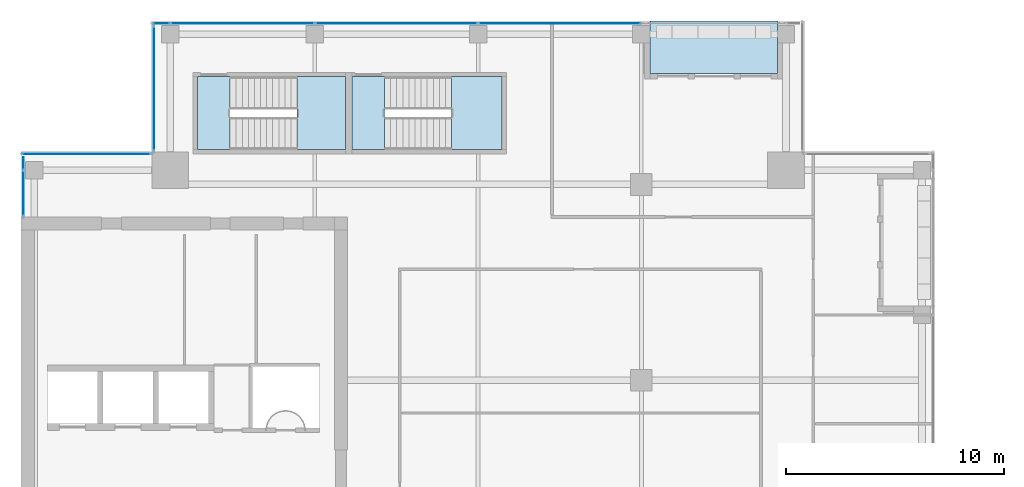
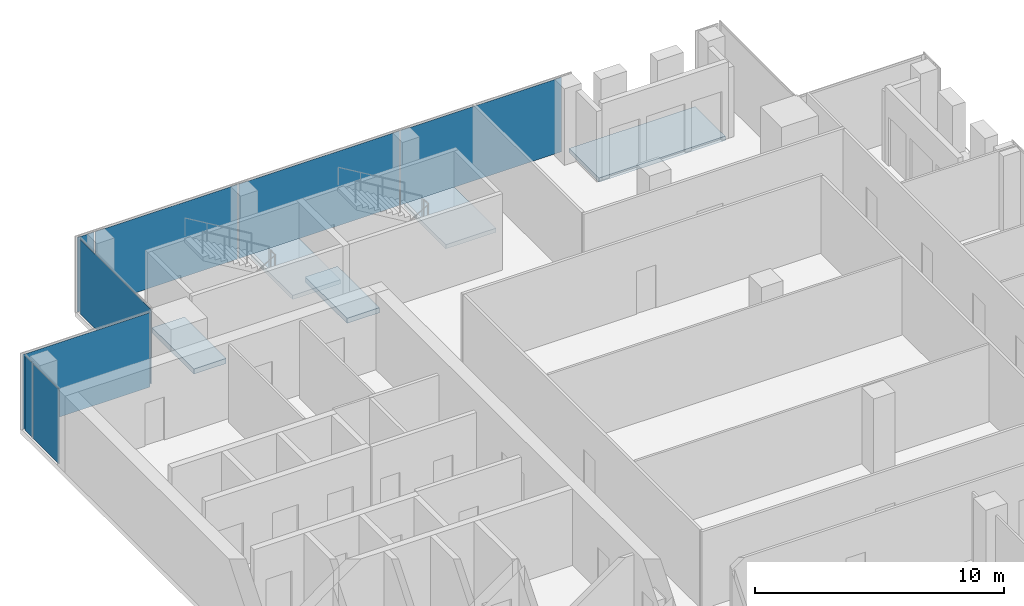
# One storey, part 21 of 28: 8 plates, 5 slabs, 6 elements without a shape of their own.
"""IFC4 building model written with IfcOpenShell, lengths in metres."""

from ifc_helpers import new_model, si_unit, direction, frame, origin, origin_2d, place, context, subcontext, project, spatial, polyline, rectangle, outline, extrude, source, transform, mapped, material, layer, layer_set, type_object, element, aggregate, save


model = new_model("IFC4")

# Units and contexts
model_context = context("Model", 3, precision=1e-05, world=origin(), true_north=direction((0.0, 1.0)))
body_context = subcontext(model_context, "Body", "Model", "MODEL_VIEW")
ifc_project = project(units=[si_unit("LENGTHUNIT", "METRE"), si_unit("AREAUNIT", "SQUARE_METRE"), si_unit("VOLUMEUNIT", "CUBIC_METRE"), si_unit("PLANEANGLEUNIT", "RADIAN"), si_unit("MASSUNIT", "GRAM", prefix="KILO")], contexts=[model_context])

# Site, building, storey
site_placement = place(None, origin())
site = spatial("IfcSite", under=ifc_project, at=site_placement, CompositionType="ELEMENT")
building_placement = place(site_placement, origin())
building = spatial("IfcBuilding", under=site, at=building_placement, Name="Khomas Fold Tower", CompositionType="ELEMENT")
storey_placement = place(building_placement, frame((0.0, 0.0, 298.199951171875)))
storey = spatial("IfcBuildingStorey", under=building, at=storey_placement, Name="L67", CompositionType="ELEMENT", Elevation=298.199951171875)

# Curtain wall, plate
ifc_material_1 = material(Name="Aluminium framed double glazing", Category="aluminium")
curtain_wall_type = type_object("IfcCurtainWallType", Name="SK-Unitised clear-glass wall, upper floors CW3", PredefinedType="NOTDEFINED", material=ifc_material_1)
curtain_wall_1_placement = place(storey_placement, origin())
curtain_wall_1 = element("IfcCurtainWall", 1, at=curtain_wall_1_placement, inside=storey, type_object=curtain_wall_type, Name="CW3 run L67 09-0", PredefinedType="NOTDEFINED")
ifc_material_2 = material(Name="Clear double glazed unit")
ifc_layer_1 = layer(ifc_material_2, 0.028076171875)
ifc_layer_set_1 = layer_set([ifc_layer_1], Name="Clear double glazed unit")
plate_type = type_object("IfcPlateType", Name="SK-Unitised clear-glass wall, upper floors glass panel CW3-P", PredefinedType="CURTAIN_PANEL", material=ifc_layer_set_1)
shared_shape_1 = source(origin(), body_context, "Body", "SweptSolid", [
    extrude(rectangle(XDim=0.574951171875, YDim=0.028076171875, at=origin_2d()), origin(), (0.0, 0.0, 1.0), 3.64990234375),
])
plate_1_placement = place(storey_placement, frame((6.10009765625, 41.46240234375, 0.0), z_axis=(0.0, 0.0, 1.0), x_axis=(0.0, -1.0, 0.0)))
plate_1 = element("IfcPlate", 2, at=plate_1_placement, type_object=plate_type, Name="CW3 glass panel 1", PredefinedType="CURTAIN_PANEL", context=body_context, shape_type="MappedRepresentation", body=[
    mapped(shared_shape_1, transform((0.0, 0.0, 0.0))),
])

# Curtain wall, plates
curtain_wall_2_placement = place(storey_placement, origin())
curtain_wall_2 = element("IfcCurtainWall", 3, at=curtain_wall_2_placement, inside=storey, type_object=curtain_wall_type, Name="CW3 run L67 06-1", PredefinedType="NOTDEFINED")
shared_shape_2 = source(origin(), body_context, "Body", "SweptSolid", [
    extrude(rectangle(XDim=6.60009765625, YDim=0.028076171875, at=origin_2d()), origin(), (0.0, 0.0, 1.0), 3.64990234375),
])
plate_2_placement = place(storey_placement, frame((16.175048828125, 47.89990234375, 0.0), z_axis=(0.0, 0.0, 1.0), x_axis=(-1.0, 0.0, 0.0)))
plate_2 = element("IfcPlate", 4, at=plate_2_placement, type_object=plate_type, Name="CW3 glass panel 4", PredefinedType="CURTAIN_PANEL", context=body_context, shape_type="MappedRepresentation", body=[
    mapped(shared_shape_2, transform((0.0, 0.0, 0.0))),
])
shared_shape_3 = source(origin(), body_context, "Body", "SweptSolid", [
    extrude(rectangle(XDim=7.449951171875, YDim=0.028076171875, at=origin_2d()), origin(), (0.0, 0.0, 1.0), 3.64990234375),
])
plate_3_placement = place(storey_placement, frame((30.75, 47.89990234375, 0.0), z_axis=(0.0, 0.0, 1.0), x_axis=(-1.0, 0.0, 0.0)))
plate_3 = element("IfcPlate", 5, at=plate_3_placement, type_object=plate_type, Name="CW3 glass panel 2", PredefinedType="CURTAIN_PANEL", context=body_context, shape_type="MappedRepresentation", body=[
    mapped(shared_shape_3, transform((0.0, 0.0, 0.0))),
])
plate_4_placement = place(storey_placement, frame((23.25, 47.89990234375, 0.0), z_axis=(0.0, 0.0, 1.0), x_axis=(-1.0, 0.0, 0.0)))
plate_4 = element("IfcPlate", 6, at=plate_4_placement, type_object=plate_type, Name="CW3 glass panel 3", PredefinedType="CURTAIN_PANEL", context=body_context, shape_type="MappedRepresentation", body=[
    mapped(shared_shape_3, transform((0.0, 0.0, 0.0))),
])
shared_shape_4 = source(origin(), body_context, "Body", "SweptSolid", [
    extrude(rectangle(XDim=0.77490234375, YDim=0.028076171875, at=origin_2d()), origin(), (0.0, 0.0, 1.0), 3.64990234375),
])
plate_5_placement = place(storey_placement, frame((12.4375, 47.89990234375, 0.0), z_axis=(0.0, 0.0, 1.0), x_axis=(-1.0, 0.0, 0.0)))
plate_5 = element("IfcPlate", 7, at=plate_5_placement, type_object=plate_type, Name="CW3 glass panel 5", PredefinedType="CURTAIN_PANEL", context=body_context, shape_type="MappedRepresentation", body=[
    mapped(shared_shape_4, transform((0.0, 0.0, 0.0))),
])
aggregate(curtain_wall_2, [plate_3, plate_4, plate_2, plate_5])

# Curtain wall, plate
curtain_wall_3_placement = place(storey_placement, origin())
curtain_wall_3 = element("IfcCurtainWall", 8, at=curtain_wall_3_placement, inside=storey, type_object=curtain_wall_type, Name="CW3 corner return L67 07", PredefinedType="NOTDEFINED")
shared_shape_5 = source(origin(), body_context, "Body", "SweptSolid", [
    extrude(rectangle(XDim=5.699951171875, YDim=0.028076171875, at=origin_2d()), origin(), (0.0, 0.0, 1.0), 3.64990234375),
])
plate_6_placement = place(storey_placement, frame((12.10009765625, 44.89990234375, 0.0), z_axis=(0.0, 0.0, 1.0), x_axis=(0.0, -1.0, 0.0)))
plate_6 = element("IfcPlate", 9, at=plate_6_placement, type_object=plate_type, Name="CW3 glass panel 1", PredefinedType="CURTAIN_PANEL", context=body_context, shape_type="MappedRepresentation", body=[
    mapped(shared_shape_5, transform((0.0, 0.0, 0.0))),
])
aggregate(curtain_wall_3, [plate_6])

curtain_wall_4_placement = place(storey_placement, origin())
curtain_wall_4 = element("IfcCurtainWall", 10, at=curtain_wall_4_placement, inside=storey, type_object=curtain_wall_type, Name="CW3 corner return L67 08", PredefinedType="NOTDEFINED")
shared_shape_6 = source(origin(), body_context, "Body", "SweptSolid", [
    extrude(rectangle(XDim=5.89990234375, YDim=0.028076171875, at=origin_2d()), origin(), (0.0, 0.0, 1.0), 3.64990234375),
])
plate_7_placement = place(storey_placement, frame((9.0, 41.89990234375, 0.0), z_axis=(0.0, 0.0, 1.0), x_axis=(-1.0, 0.0, 0.0)))
plate_7 = element("IfcPlate", 11, at=plate_7_placement, type_object=plate_type, Name="CW3 glass panel 1", PredefinedType="CURTAIN_PANEL", context=body_context, shape_type="MappedRepresentation", body=[
    mapped(shared_shape_6, transform((0.0, 0.0, 0.0))),
])
aggregate(curtain_wall_4, [plate_7])

# Plate
shared_shape_7 = source(origin(), body_context, "Body", "SweptSolid", [
    extrude(rectangle(XDim=2.074951171875, YDim=0.028076171875, at=origin_2d()), origin(), (0.0, 0.0, 1.0), 3.64990234375),
])
plate_8_placement = place(storey_placement, frame((6.10009765625, 40.08740234375, 0.0), z_axis=(0.0, 0.0, 1.0), x_axis=(0.0, -1.0, 0.0)))
plate_8 = element("IfcPlate", 12, at=plate_8_placement, type_object=plate_type, Name="CW3 glass panel 2", PredefinedType="CURTAIN_PANEL", context=body_context, shape_type="MappedRepresentation", body=[
    mapped(shared_shape_7, transform((0.0, 0.0, 0.0))),
])

aggregate(curtain_wall_1, [plate_1, plate_8])

# Slab
ifc_material_3 = material(Name="Concrete C40/50", Category="concrete")
ifc_layer_2 = layer(ifc_material_3, 0.205078125)
ifc_layer_set_2 = layer_set([ifc_layer_2], Name="Concrete C40/50")
slab_type_1 = type_object("IfcSlabType", Name="BL-Balcony deck 205", PredefinedType="FLOOR", material=ifc_layer_set_2)
shared_shape_8 = source(origin(), body_context, "Body", "SweptSolid", [
    extrude(outline(polyline([(34.89990234375, 45.60009765625), (40.75, 45.60009765625), (40.75, 48.0), (34.89990234375, 48.0), (34.89990234375, 45.60009765625)])), origin(), (0.0, 0.0, 1.0), 0.205078125),
])
slab_1_placement = place(storey_placement, frame((0.0, 0.0, -0.25)))
element("IfcSlab", 13, at=slab_1_placement, inside=storey, type_object=slab_type_1, Name="Balcony deck BAL-L67-N4", PredefinedType="FLOOR", context=body_context, shape_type="MappedRepresentation", body=[
    mapped(shared_shape_8, transform((0.0, 0.0, 0.0))),
])

# Stair, slab
ifc_material_4 = material(Name="Concrete C40/50", Category="concrete")
stair_type_1 = type_object("IfcStairType", Name="Stair ST1", PredefinedType="HALF_TURN_STAIR", material=ifc_material_4)
stair_1_placement = place(storey_placement, origin())
stair_1 = element("IfcStair", 14, at=stair_1_placement, inside=storey, type_object=stair_type_1, Name="L67 ST1", PredefinedType="HALF_TURN_STAIR")
ifc_material_5 = material(Name="Concrete C40/50", Category="concrete")
ifc_layer_3 = layer(ifc_material_5, 0.199951171875)
ifc_layer_set_3 = layer_set([ifc_layer_3], Name="Concrete C40/50")
slab_type_2 = type_object("IfcSlabType", Name="Stair landing 200", PredefinedType="LANDING", material=ifc_layer_set_3)
shared_shape_9 = source(origin(), body_context, "Body", "SweptSolid", [
    extrude(outline(polyline([(18.679931640625, 42.10009765625), (20.89990234375, 42.10009765625), (20.89990234375, 45.449951171875), (18.679931640625, 45.449951171875), (18.679931640625, 42.10009765625)])), origin(), (0.0, 0.0, 1.0), 0.199951171875),
])
slab_2_placement = place(storey_placement, frame((0.0, 0.0, 1.800048828125)))
slab_2 = element("IfcSlab", 15, at=slab_2_placement, type_object=slab_type_2, Name="ST1 landing 1", PredefinedType="LANDING", context=body_context, shape_type="MappedRepresentation", body=[
    mapped(shared_shape_9, transform((0.0, 0.0, 0.0))),
])
aggregate(stair_1, [slab_2])

# Slab
ifc_material_6 = material(Name="Concrete C40/50", Category="concrete")
ifc_layer_4 = layer(ifc_material_6, 0.25)
ifc_layer_set_4 = layer_set([ifc_layer_4], Name="Concrete C40/50")
slab_type_3 = type_object("IfcSlabType", Name="Stair floor landing 250", PredefinedType="LANDING", material=ifc_layer_set_4)
shared_shape_10 = source(origin(), body_context, "Body", "SweptSolid", [
    extrude(outline(polyline([(15.60009765625, 42.10009765625), (14.10009765625, 42.10009765625), (14.10009765625, 45.449951171875), (15.60009765625, 45.449951171875), (15.60009765625, 42.10009765625)])), origin(), (0.0, 0.0, 1.0), 0.25),
])
slab_3_placement = place(storey_placement, frame((0.0, 0.0, -0.25)))
element("IfcSlab", 16, at=slab_3_placement, inside=storey, type_object=slab_type_3, Name="ST1 floor landing", PredefinedType="LANDING", context=body_context, shape_type="MappedRepresentation", body=[
    mapped(shared_shape_10, transform((0.0, 0.0, 0.0))),
])

# Stair, slab
ifc_material_7 = material(Name="Concrete C40/50", Category="concrete")
stair_type_2 = type_object("IfcStairType", Name="Stair ST3", PredefinedType="HALF_TURN_STAIR", material=ifc_material_7)
stair_2_placement = place(storey_placement, origin())
stair_2 = element("IfcStair", 17, at=stair_2_placement, inside=storey, type_object=stair_type_2, Name="L67 ST3", PredefinedType="HALF_TURN_STAIR")
shared_shape_11 = source(origin(), body_context, "Body", "SweptSolid", [
    extrude(outline(polyline([(25.780029296875, 42.10009765625), (28.10009765625, 42.10009765625), (28.10009765625, 45.449951171875), (25.780029296875, 45.449951171875), (25.780029296875, 42.10009765625)])), origin(), (0.0, 0.0, 1.0), 0.199951171875),
])
slab_4_placement = place(storey_placement, frame((0.0, 0.0, 1.800048828125)))
slab_4 = element("IfcSlab", 18, at=slab_4_placement, type_object=slab_type_2, Name="ST3 landing 1", PredefinedType="LANDING", context=body_context, shape_type="MappedRepresentation", body=[
    mapped(shared_shape_11, transform((0.0, 0.0, 0.0))),
])
aggregate(stair_2, [slab_4])

# Slab
shared_shape_12 = source(origin(), body_context, "Body", "SweptSolid", [
    extrude(outline(polyline([(22.699951171875, 42.10009765625), (21.199951171875, 42.10009765625), (21.199951171875, 45.449951171875), (22.699951171875, 45.449951171875), (22.699951171875, 42.10009765625)])), origin(), (0.0, 0.0, 1.0), 0.25),
])
slab_5_placement = place(storey_placement, frame((0.0, 0.0, -0.25)))
element("IfcSlab", 19, at=slab_5_placement, inside=storey, type_object=slab_type_3, Name="ST3 floor landing", PredefinedType="LANDING", context=body_context, shape_type="MappedRepresentation", body=[
    mapped(shared_shape_12, transform((0.0, 0.0, 0.0))),
])

save(model, "model.ifc")
